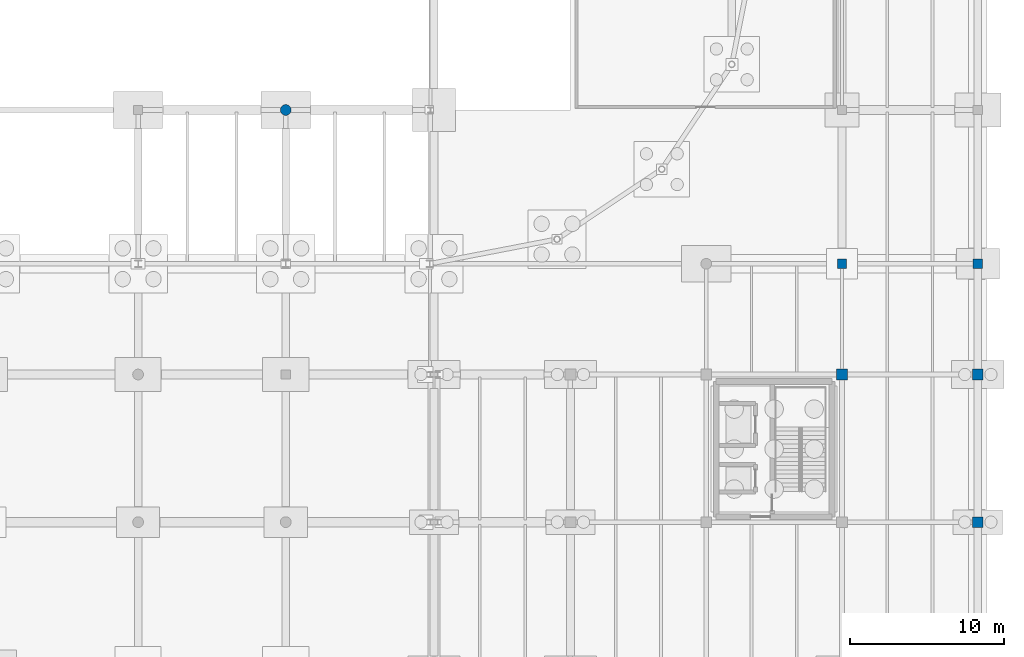
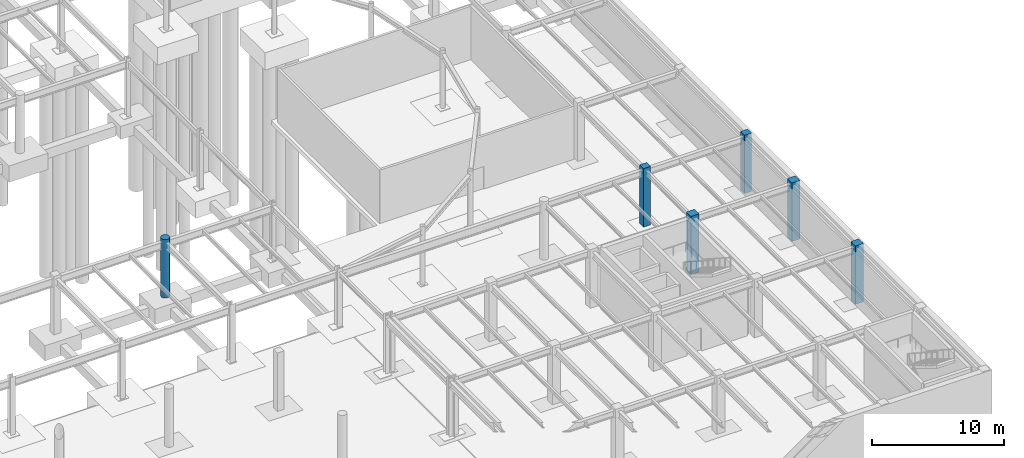
# One storey, part 26 of 50: 6 columns.
"""IFC4 building model written with IfcOpenShell, lengths in metres."""

from ifc_helpers import new_model, si_unit, direction, frame, origin, origin_2d, place, context, subcontext, project, spatial, rectangle, circle, extrude, material, material_profile, profile_set, type_object, element, save


model = new_model("IFC4")

# Units and contexts
model_context = context("Model", 3, precision=1e-05, world=origin(), true_north=direction((0.0, 1.0)))
body_context = subcontext(model_context, "Body", "Model", "MODEL_VIEW")
ifc_project = project(units=[si_unit("LENGTHUNIT", "METRE"), si_unit("AREAUNIT", "SQUARE_METRE"), si_unit("VOLUMEUNIT", "CUBIC_METRE"), si_unit("PLANEANGLEUNIT", "RADIAN"), si_unit("MASSUNIT", "GRAM", prefix="KILO")], contexts=[model_context])

# Site, building, storey
site_placement = place(None, origin())
site = spatial("IfcSite", under=ifc_project, at=site_placement, CompositionType="ELEMENT")
building_placement = place(site_placement, origin())
building = spatial("IfcBuilding", under=site, at=building_placement, Name="Yeouljin Market Hall", CompositionType="ELEMENT")
storey_placement = place(building_placement, frame((0.0, 0.0, -5.39990234375)))
storey = spatial("IfcBuildingStorey", under=building, at=storey_placement, Name="B1", CompositionType="ELEMENT", Elevation=-5.39990234375)

# Columns
ifc_material_1 = material(Name="Concrete C35/45", Category="concrete")
ifc_material_profile_1 = material_profile(ifc_material_1, rectangle(XDim=0.60009765625, YDim=0.60009765625, at=origin_2d()), Name="RC-600x600")
ifc_profile_set_1 = profile_set([ifc_material_profile_1], Name="Concrete C35/45")
column_type_1 = type_object("IfcColumnType", Name="Col_RC-600x600", PredefinedType="COLUMN", material=ifc_profile_set_1)
for number, where, z_axis, x_axis, name in (
    (1, (167.570068359375, 36.0, 0.0), (0.0, 0.0, 1.0), (1.0, 0.0, 0.0), "Column G-20-04 (B1)"),
    (2, (176.39990234375, 36.0, 0.0), (0.0, 0.0, 1.0), (1.0, 0.0, 0.0), "Column G-21-04 (B1)"),
):
    element("IfcColumn", number, at=place(storey_placement, frame(where, z_axis=z_axis, x_axis=x_axis)), inside=storey, type_object=column_type_1, Name=name, PredefinedType="COLUMN", context=body_context, shape_type="SweptSolid", body=[
        extrude(rectangle(XDim=0.60009765625, YDim=0.60009765625, at=origin_2d()), origin(), (0.0, 0.0, 1.0), 5.39990234375),
    ])
ifc_material_2 = material(Name="Concrete C35/45", Category="concrete")
ifc_material_profile_2 = material_profile(ifc_material_2, rectangle(XDim=0.699951171875, YDim=0.699951171875, at=origin_2d()), Name="RC-700x700")
ifc_profile_set_2 = profile_set([ifc_material_profile_2], Name="Concrete C35/45")
column_type_2 = type_object("IfcColumnType", Name="Col_RC-700x700", PredefinedType="COLUMN", material=ifc_profile_set_2)
for number, where, z_axis, x_axis, name in (
    (3, (167.570068359375, 28.800048828125, 0.0), (0.0, 0.0, 1.0), (1.0, 0.0, 0.0), "Column G-20-03 (B1)"),
    (4, (176.39990234375, 19.199951171875, 0.0), (0.0, 0.0, 1.0), (1.0, 0.0, 0.0), "Column G-21-02 (B1)"),
    (5, (176.39990234375, 28.800048828125, 0.0), (0.0, 0.0, 1.0), (1.0, 0.0, 0.0), "Column G-21-03 (B1)"),
):
    element("IfcColumn", number, at=place(storey_placement, frame(where, z_axis=z_axis, x_axis=x_axis)), inside=storey, type_object=column_type_2, Name=name, PredefinedType="COLUMN", context=body_context, shape_type="SweptSolid", body=[
        extrude(rectangle(XDim=0.699951171875, YDim=0.699951171875, at=origin_2d()), origin(), (0.0, 0.0, 1.0), 5.39990234375),
    ])
ifc_material_3 = material(Name="Concrete C35/45", Category="concrete")
ifc_material_profile_3 = material_profile(ifc_material_3, circle(Radius=0.35009765625, at=origin_2d()), Name="RC-D700")
ifc_profile_set_3 = profile_set([ifc_material_profile_3], Name="Concrete C35/45")
column_type_3 = type_object("IfcColumnType", Name="Col_RC-D700", PredefinedType="COLUMN", material=ifc_profile_set_3)
column_placement = place(storey_placement, frame((131.39990234375, 46.0, 0.0), z_axis=(0.0, 0.0, 1.0), x_axis=(1.0, 0.0, 0.0)))
element("IfcColumn", 6, at=column_placement, inside=storey, type_object=column_type_3, Name="Column G-15-05 (B1)", PredefinedType="COLUMN", context=body_context, shape_type="SweptSolid", body=[
    extrude(circle(Radius=0.35009765625, at=origin_2d()), origin(), (0.0, 0.0, 1.0), 5.39990234375),
])

save(model, "model.ifc")
